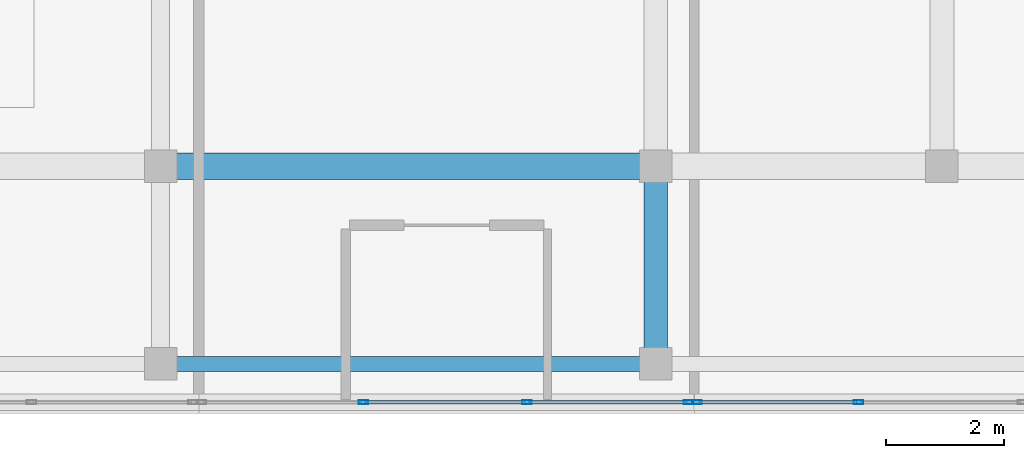
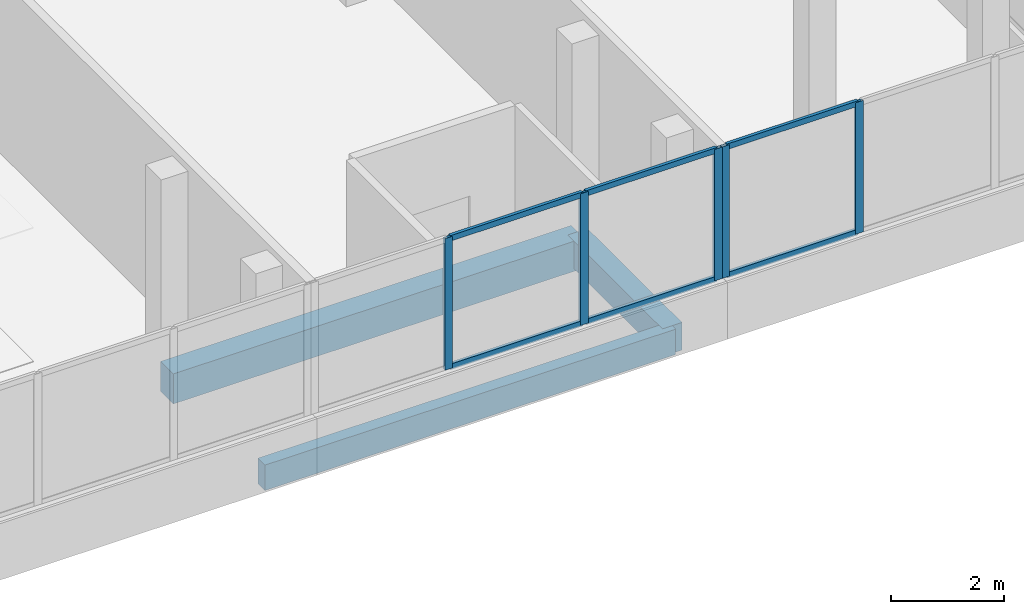
# One storey, part 38 of 66: 11 members, 3 beams, 2 elements without a shape of their own.
"""IFC4 building model written with IfcOpenShell, lengths in metres."""

from ifc_helpers import new_model, si_unit, direction, frame, origin, origin_2d, place, context, subcontext, project, spatial, rectangle, hollow_rectangle, extrude, material, material_profile, profile_set, type_object, element, aggregate, save


model = new_model("IFC4")

# Units and contexts
model_context = context("Model", 3, precision=1e-05, world=origin(), true_north=direction((0.0, 1.0)))
body_context = subcontext(model_context, "Body", "Model", "MODEL_VIEW")
ifc_project = project(units=[si_unit("LENGTHUNIT", "METRE"), si_unit("AREAUNIT", "SQUARE_METRE"), si_unit("VOLUMEUNIT", "CUBIC_METRE"), si_unit("PLANEANGLEUNIT", "RADIAN"), si_unit("MASSUNIT", "GRAM", prefix="KILO")], contexts=[model_context])

# Site, building, storey
site_placement = place(None, origin())
site = spatial("IfcSite", under=ifc_project, at=site_placement, CompositionType="ELEMENT")
building_placement = place(site_placement, origin())
building = spatial("IfcBuilding", under=site, at=building_placement, Name="Selatvlak General Hospital", CompositionType="ELEMENT")
storey_placement = place(building_placement, frame((0.0, 0.0, 31.35009765625)))
storey = spatial("IfcBuildingStorey", under=building, at=storey_placement, Name="L07", CompositionType="ELEMENT", Elevation=31.35009765625)

# Beams
ifc_material_1 = material(Name="Concrete C40/50", Category="concrete")
ifc_material_profile_1 = material_profile(ifc_material_1, rectangle(XDim=0.449951171875, YDim=0.64990234375, at=origin_2d()), Name="RC-BM 450x650")
ifc_profile_set_1 = profile_set([ifc_material_profile_1], Name="Concrete C40/50")
beam_type_1 = type_object("IfcBeamType", Name="BM-G04", PredefinedType="BEAM", material=ifc_profile_set_1)
beam_1_placement = place(storey_placement, frame((148.14990234375, 92.0, -0.59521484375), z_axis=(1.0, 0.0, 0.0), x_axis=(0.0, 1.0, 0.0)))
element("IfcBeam", 1, at=beam_1_placement, inside=storey, type_object=beam_type_1, Name="Beam BMR-L07-2396", PredefinedType="BEAM", context=body_context, shape_type="SweptSolid", body=[
    extrude(rectangle(XDim=0.449951171875, YDim=0.64990234375, at=origin_2d()), origin(), (0.0, 0.0, 1.0), 8.400146484375),
])
ifc_material_profile_2 = material_profile(ifc_material_1, rectangle(XDim=0.39990234375, YDim=0.60009765625, at=origin_2d()), Name="RC-BM 400x600")
ifc_profile_set_2 = profile_set([ifc_material_profile_2], Name="Concrete C40/50")
beam_type_2 = type_object("IfcBeamType", Name="BM-G05", PredefinedType="BEAM", material=ifc_profile_set_2)
beam_2_placement = place(storey_placement, frame((156.550048828125, 88.64990234375, -0.570068359375), z_axis=(0.0, 1.0, 0.0), x_axis=(-1.0, 0.0, 0.0)))
element("IfcBeam", 2, at=beam_2_placement, inside=storey, type_object=beam_type_2, Name="Beam BMR-L07-2531", PredefinedType="BEAM", context=body_context, shape_type="SweptSolid", body=[
    extrude(rectangle(XDim=0.39990234375, YDim=0.60009765625, at=origin_2d()), origin(), (0.0, 0.0, 1.0), 3.35009765625),
])
ifc_material_profile_3 = material_profile(ifc_material_1, rectangle(XDim=0.25, YDim=0.550048828125, at=origin_2d()), Name="RC-SP 250x550")
ifc_profile_set_3 = profile_set([ifc_material_profile_3], Name="Concrete C40/50")
beam_type_3 = type_object("IfcBeamType", Name="BM-SP2", PredefinedType="SPANDREL", material=ifc_profile_set_3)
beam_3_placement = place(storey_placement, frame((148.14990234375, 88.64990234375, -0.545166015625), z_axis=(1.0, 0.0, 0.0), x_axis=(0.0, 1.0, 0.0)))
element("IfcBeam", 3, at=beam_3_placement, inside=storey, type_object=beam_type_3, Name="Beam BMR-L07-2377", PredefinedType="SPANDREL", context=body_context, shape_type="SweptSolid", body=[
    extrude(rectangle(XDim=0.25, YDim=0.550048828125, at=origin_2d()), origin(), (0.0, 0.0, 1.0), 8.400146484375),
])

# Curtain wall, members
ifc_material_2 = material(Name="Solar-control Low-E double glazing", Category="glass")
curtain_wall_type_1 = type_object("IfcCurtainWallType", Name="CW-CW-01", PredefinedType="USERDEFINED", material=ifc_material_2)
curtain_wall_1_placement = place(storey_placement, origin())
curtain_wall_1 = element("IfcCurtainWall", 4, at=curtain_wall_1_placement, inside=storey, type_object=curtain_wall_type_1, Name="Glazed facade curtain wall CW-L07-0663", ObjectType="UNITISED CURTAIN WALL", PredefinedType="USERDEFINED")
ifc_material_3 = material(Name="Dark anodised aluminium mullion", Category="aluminium")
ifc_material_profile_4 = material_profile(ifc_material_3, hollow_rectangle(XDim=0.06494140625, YDim=0.159912109375, WallThickness=0.00390625, at=origin_2d()), Name="AL-MUL 65x160x4")
ifc_profile_set_4 = profile_set([ifc_material_profile_4], Name="Dark anodised aluminium mullion")
member_type_1 = type_object("IfcMemberType", Name="CWM-01", PredefinedType="MULLION", material=ifc_profile_set_4)
member_1_placement = place(storey_placement, frame((159.98828125, 88.0009765625, 0.93994140625), z_axis=(0.0, 0.0, 1.0), x_axis=(0.0, -1.0, 0.0)))
member_1 = element("IfcMember", 5, at=member_1_placement, type_object=member_type_1, Name="CW-01 mullion 3", PredefinedType="MULLION", context=body_context, shape_type="SweptSolid", body=[
    extrude(hollow_rectangle(XDim=0.06494140625, YDim=0.159912109375, WallThickness=0.00390625, at=origin_2d()), origin(), (0.0, 0.0, 1.0), 2.844970703125),
])
member_2_placement = place(storey_placement, frame((157.24755859375, 88.0009765625, 0.93994140625), z_axis=(0.0, 0.0, 1.0), x_axis=(0.0, -1.0, 0.0)))
member_2 = element("IfcMember", 6, at=member_2_placement, type_object=member_type_1, Name="CW-01 mullion 4", PredefinedType="MULLION", context=body_context, shape_type="SweptSolid", body=[
    extrude(hollow_rectangle(XDim=0.06494140625, YDim=0.159912109375, WallThickness=0.00390625, at=origin_2d()), origin(), (0.0, 0.0, 1.0), 2.844970703125),
])

curtain_wall_type_2 = type_object("IfcCurtainWallType", Name="CW-CW-02", PredefinedType="USERDEFINED", material=ifc_material_2)
curtain_wall_2_placement = place(storey_placement, origin())
curtain_wall_2 = element("IfcCurtainWall", 7, at=curtain_wall_2_placement, inside=storey, type_object=curtain_wall_type_2, Name="Glazed facade curtain wall CW-L07-0664", ObjectType="UNITISED CURTAIN WALL", PredefinedType="USERDEFINED")
member_3_placement = place(storey_placement, frame((157.1025390625, 88.0009765625, 0.93994140625), z_axis=(0.0, 0.0, 1.0), x_axis=(0.0, -1.0, 0.0)))
member_3 = element("IfcMember", 8, at=member_3_placement, type_object=member_type_1, Name="CW-02 mullion 1", PredefinedType="MULLION", context=body_context, shape_type="SweptSolid", body=[
    extrude(hollow_rectangle(XDim=0.06494140625, YDim=0.159912109375, WallThickness=0.00390625, at=origin_2d()), origin(), (0.0, 0.0, 1.0), 2.844970703125),
])
member_4_placement = place(storey_placement, frame((154.361572265625, 88.0009765625, 0.93994140625), z_axis=(0.0, 0.0, 1.0), x_axis=(0.0, -1.0, 0.0)))
member_4 = element("IfcMember", 9, at=member_4_placement, type_object=member_type_1, Name="CW-02 mullion 2", PredefinedType="MULLION", context=body_context, shape_type="SweptSolid", body=[
    extrude(hollow_rectangle(XDim=0.06494140625, YDim=0.159912109375, WallThickness=0.00390625, at=origin_2d()), origin(), (0.0, 0.0, 1.0), 2.844970703125),
])
member_5_placement = place(storey_placement, frame((151.58837890625, 88.0009765625, 0.93994140625), z_axis=(0.0, 0.0, 1.0), x_axis=(0.0, -1.0, 0.0)))
member_5 = element("IfcMember", 10, at=member_5_placement, type_object=member_type_1, Name="CW-02 mullion 3", PredefinedType="MULLION", context=body_context, shape_type="SweptSolid", body=[
    extrude(hollow_rectangle(XDim=0.06494140625, YDim=0.159912109375, WallThickness=0.00390625, at=origin_2d()), origin(), (0.0, 0.0, 1.0), 2.844970703125),
])

# Member
ifc_material_profile_5 = material_profile(ifc_material_3, hollow_rectangle(XDim=0.06494140625, YDim=0.1201171875, WallThickness=0.00390625, at=origin_2d()), Name="AL-TRN 65x120x4")
ifc_profile_set_5 = profile_set([ifc_material_profile_5], Name="Dark anodised aluminium mullion")
member_type_2 = type_object("IfcMemberType", Name="CWT-01", PredefinedType="USERDEFINED", material=ifc_profile_set_5)
member_6_placement = place(storey_placement, frame((159.955810546875, 88.0009765625, 0.972412109375), z_axis=(-1.0, 0.0, 0.0), x_axis=(0.0, -1.0, 0.0)))
member_6 = element("IfcMember", 11, at=member_6_placement, type_object=member_type_2, Name="CW-01 transom 3.1", ObjectType="TRANSOM", PredefinedType="USERDEFINED", context=body_context, shape_type="SweptSolid", body=[
    extrude(hollow_rectangle(XDim=0.06494140625, YDim=0.1201171875, WallThickness=0.00390625, at=origin_2d()), origin(), (0.0, 0.0, 1.0), 2.67578125),
])

member_7_placement = place(storey_placement, frame((159.955810546875, 88.0009765625, 3.75244140625), z_axis=(-1.0, 0.0, 0.0), x_axis=(0.0, -1.0, 0.0)))
member_7 = element("IfcMember", 12, at=member_7_placement, type_object=member_type_2, Name="CW-01 transom 3.2", ObjectType="TRANSOM", PredefinedType="USERDEFINED", context=body_context, shape_type="SweptSolid", body=[
    extrude(hollow_rectangle(XDim=0.06494140625, YDim=0.1201171875, WallThickness=0.00390625, at=origin_2d()), origin(), (0.0, 0.0, 1.0), 2.67578125),
])

aggregate(curtain_wall_1, [member_1, member_2, member_6, member_7])

member_8_placement = place(storey_placement, frame((157.070068359375, 88.0009765625, 0.972412109375), z_axis=(-1.0, 0.0, 0.0), x_axis=(0.0, -1.0, 0.0)))
member_8 = element("IfcMember", 13, at=member_8_placement, type_object=member_type_2, Name="CW-02 transom 1.1", ObjectType="TRANSOM", PredefinedType="USERDEFINED", context=body_context, shape_type="SweptSolid", body=[
    extrude(hollow_rectangle(XDim=0.06494140625, YDim=0.1201171875, WallThickness=0.00390625, at=origin_2d()), origin(), (0.0, 0.0, 1.0), 2.67578125),
])

member_9_placement = place(storey_placement, frame((157.070068359375, 88.0009765625, 3.75244140625), z_axis=(-1.0, 0.0, 0.0), x_axis=(0.0, -1.0, 0.0)))
member_9 = element("IfcMember", 14, at=member_9_placement, type_object=member_type_2, Name="CW-02 transom 1.2", ObjectType="TRANSOM", PredefinedType="USERDEFINED", context=body_context, shape_type="SweptSolid", body=[
    extrude(hollow_rectangle(XDim=0.06494140625, YDim=0.1201171875, WallThickness=0.00390625, at=origin_2d()), origin(), (0.0, 0.0, 1.0), 2.67578125),
])

member_10_placement = place(storey_placement, frame((154.3291015625, 88.0009765625, 0.972412109375), z_axis=(-1.0, 0.0, 0.0), x_axis=(0.0, -1.0, 0.0)))
member_10 = element("IfcMember", 15, at=member_10_placement, type_object=member_type_2, Name="CW-02 transom 2.1", ObjectType="TRANSOM", PredefinedType="USERDEFINED", context=body_context, shape_type="SweptSolid", body=[
    extrude(hollow_rectangle(XDim=0.06494140625, YDim=0.1201171875, WallThickness=0.00390625, at=origin_2d()), origin(), (0.0, 0.0, 1.0), 2.708251953125),
])

member_11_placement = place(storey_placement, frame((154.3291015625, 88.0009765625, 3.75244140625), z_axis=(-1.0, 0.0, 0.0), x_axis=(0.0, -1.0, 0.0)))
member_11 = element("IfcMember", 16, at=member_11_placement, type_object=member_type_2, Name="CW-02 transom 2.2", ObjectType="TRANSOM", PredefinedType="USERDEFINED", context=body_context, shape_type="SweptSolid", body=[
    extrude(hollow_rectangle(XDim=0.06494140625, YDim=0.1201171875, WallThickness=0.00390625, at=origin_2d()), origin(), (0.0, 0.0, 1.0), 2.708251953125),
])

aggregate(curtain_wall_2, [member_3, member_4, member_5, member_8, member_9, member_10, member_11])

save(model, "model.ifc")
